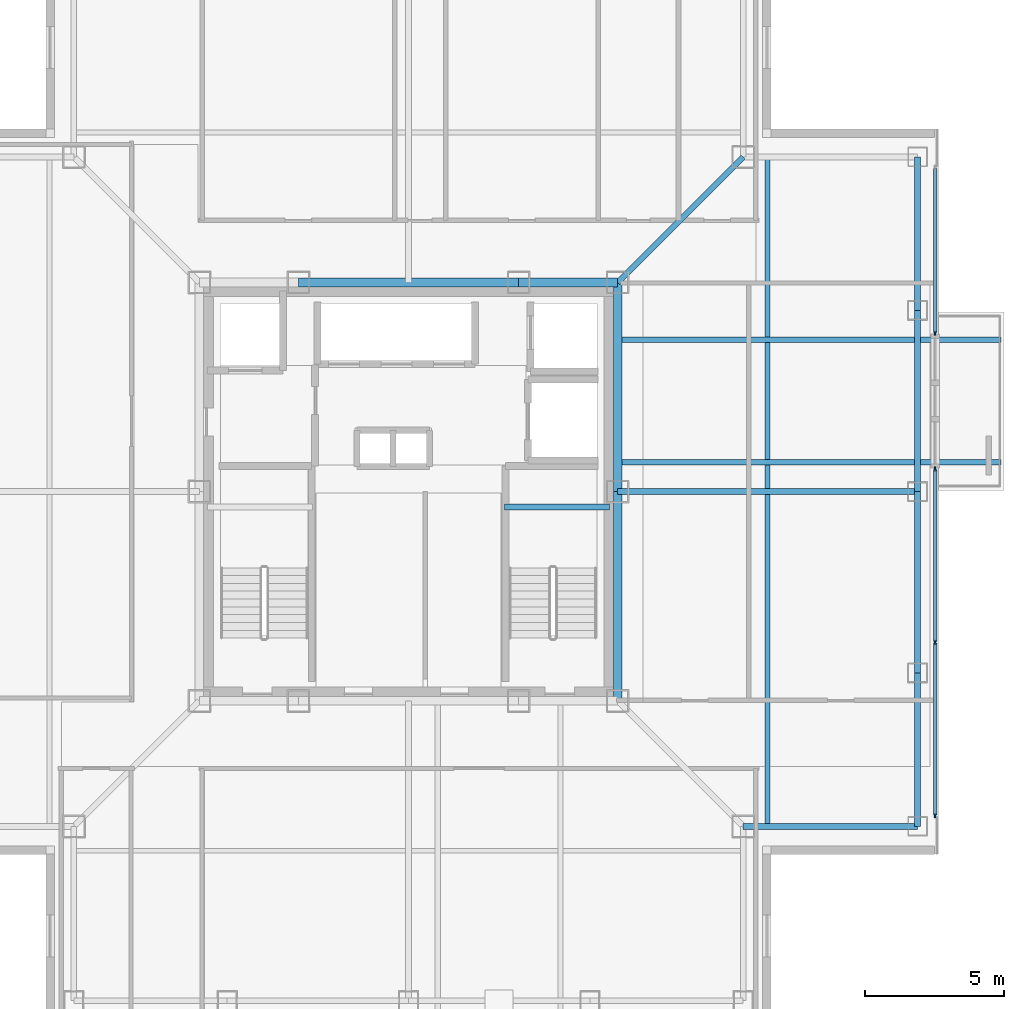
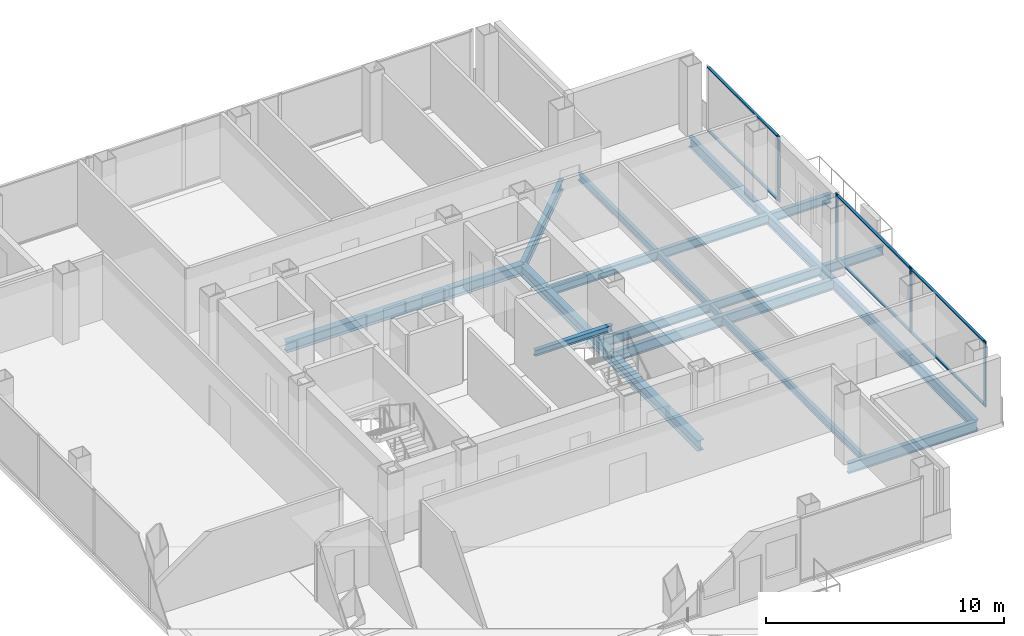
# One storey, part 4 of 15: 15 beams, 10 members, 2 elements without a shape of their own.
"""IFC4 building model written with IfcOpenShell, lengths in metres."""

from ifc_helpers import new_model, si_unit, direction, frame, origin, origin_2d, place, context, subcontext, project, spatial, rectangle, i_section, extrude, material, layer, layer_set, material_profile, profile_set, type_object, element, aggregate, save


model = new_model("IFC4")

# Units and contexts
model_context = context("Model", 3, precision=1e-05, world=origin(), true_north=direction((0.0, 1.0)))
body_context = subcontext(model_context, "Body", "Model", "MODEL_VIEW")
ifc_project = project(units=[si_unit("LENGTHUNIT", "METRE"), si_unit("AREAUNIT", "SQUARE_METRE"), si_unit("VOLUMEUNIT", "CUBIC_METRE"), si_unit("PLANEANGLEUNIT", "RADIAN"), si_unit("MASSUNIT", "GRAM", prefix="KILO")], contexts=[model_context])

# Site, building, storey
site_placement = place(None, origin())
site = spatial("IfcSite", under=ifc_project, at=site_placement, CompositionType="ELEMENT")
building_placement = place(site_placement, origin())
building = spatial("IfcBuilding", under=site, at=building_placement, Name="Trevonay Congress Spire", CompositionType="ELEMENT")
storey_placement = place(building_placement, frame((0.0, 0.0, 243.199951171875)))
storey = spatial("IfcBuildingStorey", under=building, at=storey_placement, Name="L63", CompositionType="ELEMENT", Elevation=243.199951171875)

# Beams
ifc_material_1 = material(Name="Steel ASTM A572 Grade 50", Category="steel")
ifc_material_profile_1 = material_profile(ifc_material_1, i_section(OverallWidth=0.194091796875, OverallDepth=0.468994140625, WebThickness=0.011474609375, FlangeThickness=0.01953125, FilletRadius=0.013916015625, at=origin_2d()), Name="W460x106")
ifc_profile_set_1 = profile_set([ifc_material_profile_1], Name="Steel ASTM A572 Grade 50")
beam_type_1 = type_object("IfcBeamType", Name="BM-BAL-LOOKOUT", PredefinedType="BEAM", material=ifc_profile_set_1)
for number, where, z_axis, x_axis, name in (
    (1, (7.5, 1.050048828125, -0.474365234375), (1.0, 0.0, 0.0), (0.0, 1.0, 0.0), "L63 structural beam LKT-L63-E1"),
    (2, (7.5, 5.449951171875, -0.474365234375), (1.0, 0.0, 0.0), (0.0, 1.0, 0.0), "L63 structural beam LKT-L63-E2"),
):
    element("IfcBeam", number, at=place(storey_placement, frame(where, z_axis=z_axis, x_axis=x_axis)), inside=storey, type_object=beam_type_1, Name=name, PredefinedType="BEAM", context=body_context, shape_type="SweptSolid", body=[
        extrude(i_section(OverallWidth=0.194091796875, OverallDepth=0.468994140625, WebThickness=0.011474609375, FlangeThickness=0.01953125, FilletRadius=0.013916015625, at=origin_2d()), origin(), (0.0, 0.0, 1.0), 13.75),
    ])
ifc_material_profile_2 = material_profile(ifc_material_1, i_section(OverallWidth=0.2119140625, OverallDepth=0.5439453125, WebThickness=0.01318359375, FlangeThickness=0.021240234375, FilletRadius=0.014892578125, at=origin_2d()), Name="W530x123")
ifc_profile_set_2 = profile_set([ifc_material_profile_2], Name="Steel ASTM A572 Grade 50")
beam_type_2 = type_object("IfcBeamType", Name="BM-GIRD-W530X123", PredefinedType="BEAM", material=ifc_profile_set_2)
beam_1_placement = place(storey_placement, frame((7.5, 7.5, -0.511962890625), z_axis=(0.707106781187, 0.707106781187, 0.0), x_axis=(-0.707106781187, 0.707106781187, 0.0)))
element("IfcBeam", 3, at=beam_1_placement, inside=storey, type_object=beam_type_2, Name="L63 structural beam BM-L63-CDNE", PredefinedType="BEAM", context=body_context, shape_type="SweptSolid", body=[
    extrude(i_section(OverallWidth=0.2119140625, OverallDepth=0.5439453125, WebThickness=0.01318359375, FlangeThickness=0.021240234375, FilletRadius=0.014892578125, at=origin_2d()), origin(), (0.0, 0.0, 1.0), 6.364013671875),
])
beam_2_placement = place(storey_placement, frame((7.5, 0.0, -0.511962890625), z_axis=(1.0, 0.0, 0.0), x_axis=(0.0, 1.0, 0.0)))
element("IfcBeam", 4, at=beam_2_placement, inside=storey, type_object=beam_type_2, Name="L63 structural beam BM-L63-GC-E", PredefinedType="BEAM", context=body_context, shape_type="SweptSolid", body=[
    extrude(i_section(OverallWidth=0.2119140625, OverallDepth=0.5439453125, WebThickness=0.01318359375, FlangeThickness=0.021240234375, FilletRadius=0.014892578125, at=origin_2d()), origin(), (0.0, 0.0, 1.0), 10.75),
])
ifc_material_profile_3 = material_profile(ifc_material_1, i_section(OverallWidth=0.31201171875, OverallDepth=0.54296875, WebThickness=0.0126953125, FlangeThickness=0.020263671875, FilletRadius=0.014892578125, at=origin_2d()), Name="W530x150")
ifc_profile_set_3 = profile_set([ifc_material_profile_3], Name="Steel ASTM A572 Grade 50")
beam_type_3 = type_object("IfcBeamType", Name="BM-GIRD-W530X150", PredefinedType="BEAM", material=ifc_profile_set_3)
beam_3_placement = place(storey_placement, frame((-3.949951171875, 7.5, -0.511474609375), z_axis=(1.0, 0.0, 0.0), x_axis=(0.0, 1.0, 0.0)))
element("IfcBeam", 5, at=beam_3_placement, inside=storey, type_object=beam_type_3, Name="L63 structural beam BM-L63-CR-N2", PredefinedType="BEAM", context=body_context, shape_type="SweptSolid", body=[
    extrude(i_section(OverallWidth=0.31201171875, OverallDepth=0.54296875, WebThickness=0.0126953125, FlangeThickness=0.020263671875, FilletRadius=0.014892578125, at=origin_2d()), origin(), (0.0, 0.0, 1.0), 7.89990234375),
])
beam_4_placement = place(storey_placement, frame((3.949951171875, 7.5, -0.511474609375), z_axis=(1.0, 0.0, 0.0), x_axis=(0.0, 1.0, 0.0)))
element("IfcBeam", 6, at=beam_4_placement, inside=storey, type_object=beam_type_3, Name="L63 structural beam BM-L63-CR-N3", PredefinedType="BEAM", context=body_context, shape_type="SweptSolid", body=[
    extrude(i_section(OverallWidth=0.31201171875, OverallDepth=0.54296875, WebThickness=0.0126953125, FlangeThickness=0.020263671875, FilletRadius=0.014892578125, at=origin_2d()), origin(), (0.0, 0.0, 1.0), 3.550048828125),
])
for number, where, z_axis, x_axis, name in (
    (7, (7.5, -7.5, -0.511474609375), (0.0, 1.0, 0.0), (-1.0, 0.0, 0.0), "L63 structural beam BM-L63-CR-E1"),
    (8, (7.5, 0.0, -0.511474609375), (0.0, 1.0, 0.0), (-1.0, 0.0, 0.0), "L63 structural beam BM-L63-CR-E2"),
):
    element("IfcBeam", number, at=place(storey_placement, frame(where, z_axis=z_axis, x_axis=x_axis)), inside=storey, type_object=beam_type_3, Name=name, PredefinedType="BEAM", context=body_context, shape_type="SweptSolid", body=[
        extrude(i_section(OverallWidth=0.31201171875, OverallDepth=0.54296875, WebThickness=0.0126953125, FlangeThickness=0.020263671875, FilletRadius=0.014892578125, at=origin_2d()), origin(), (0.0, 0.0, 1.0), 7.5),
    ])
ifc_material_profile_4 = material_profile(ifc_material_1, i_section(OverallWidth=0.208984375, OverallDepth=0.532958984375, WebThickness=0.01025390625, FlangeThickness=0.015625, FilletRadius=0.014892578125, at=origin_2d()), Name="W530x92")
ifc_profile_set_4 = profile_set([ifc_material_profile_4], Name="Steel ASTM A572 Grade 50")
beam_type_4 = type_object("IfcBeamType", Name="BM-RING-W530X92", PredefinedType="BEAM", material=ifc_profile_set_4)
beam_5_placement = place(storey_placement, frame((18.25, -12.0, -0.50634765625), z_axis=(0.0, 1.0, 0.0), x_axis=(-1.0, 0.0, 0.0)))
element("IfcBeam", 9, at=beam_5_placement, inside=storey, type_object=beam_type_4, Name="L63 structural beam BM-L63-PE1", PredefinedType="BEAM", context=body_context, shape_type="SweptSolid", body=[
    extrude(i_section(OverallWidth=0.208984375, OverallDepth=0.532958984375, WebThickness=0.01025390625, FlangeThickness=0.015625, FilletRadius=0.014892578125, at=origin_2d()), origin(), (0.0, 0.0, 1.0), 5.5),
])
for number, where, z_axis, x_axis, name in (
    (10, (18.25, -6.5, -0.50634765625), (0.0, 1.0, 0.0), (-1.0, 0.0, 0.0), "L63 structural beam BM-L63-PE2"),
    (11, (18.25, 0.0, -0.50634765625), (0.0, 1.0, 0.0), (-1.0, 0.0, 0.0), "L63 structural beam BM-L63-PE3"),
):
    element("IfcBeam", number, at=place(storey_placement, frame(where, z_axis=z_axis, x_axis=x_axis)), inside=storey, type_object=beam_type_4, Name=name, PredefinedType="BEAM", context=body_context, shape_type="SweptSolid", body=[
        extrude(i_section(OverallWidth=0.208984375, OverallDepth=0.532958984375, WebThickness=0.01025390625, FlangeThickness=0.015625, FilletRadius=0.014892578125, at=origin_2d()), origin(), (0.0, 0.0, 1.0), 6.5),
    ])
beam_6_placement = place(storey_placement, frame((18.25, 6.5, -0.50634765625), z_axis=(0.0, 1.0, 0.0), x_axis=(-1.0, 0.0, 0.0)))
element("IfcBeam", 12, at=beam_6_placement, inside=storey, type_object=beam_type_4, Name="L63 structural beam BM-L63-PE4", PredefinedType="BEAM", context=body_context, shape_type="SweptSolid", body=[
    extrude(i_section(OverallWidth=0.208984375, OverallDepth=0.532958984375, WebThickness=0.01025390625, FlangeThickness=0.015625, FilletRadius=0.014892578125, at=origin_2d()), origin(), (0.0, 0.0, 1.0), 5.5),
])
beam_7_placement = place(storey_placement, frame((18.25, -12.0, -0.50634765625), z_axis=(-1.0, 0.0, 0.0), x_axis=(0.0, -1.0, 0.0)))
element("IfcBeam", 13, at=beam_7_placement, inside=storey, type_object=beam_type_4, Name="L63 structural beam BM-L63-N2SE", PredefinedType="BEAM", context=body_context, shape_type="SweptSolid", body=[
    extrude(i_section(OverallWidth=0.208984375, OverallDepth=0.532958984375, WebThickness=0.01025390625, FlangeThickness=0.015625, FilletRadius=0.014892578125, at=origin_2d()), origin(), (0.0, 0.0, 1.0), 6.25),
])

# Curtain wall, members
ifc_material_2 = material(Name="Pale Anodised Aluminium EN AW-6063-T6", Category="aluminium")
ifc_layer = layer(ifc_material_2, 0.1650390625, Name="Pale Anodised Aluminium EN AW-6063-T6")
ifc_layer_set = layer_set([ifc_layer], Name="Pale Anodised Aluminium EN AW-6063-T6")
curtain_wall_type = type_object("IfcCurtainWallType", Name="CW-SYS05-DIPLOM-PALE-METAL", PredefinedType="NOTDEFINED", material=ifc_layer_set)
curtain_wall_1_placement = place(storey_placement, origin())
curtain_wall_1 = element("IfcCurtainWall", 14, at=curtain_wall_1_placement, inside=storey, type_object=curtain_wall_type, Name="L63 EA unitised curtain wall", PredefinedType="NOTDEFINED")
ifc_material_profile_5 = material_profile(ifc_material_2, rectangle(XDim=0.06005859375, YDim=0.159912109375, at=origin_2d()), Name="CW-MULLION-160-ALUMINIUM")
ifc_profile_set_5 = profile_set([ifc_material_profile_5], Name="Pale Anodised Aluminium EN AW-6063-T6")
member_type_1 = type_object("IfcMemberType", Name="CW-MULLION-160-ALUMINIUM", PredefinedType="MULLION", material=ifc_profile_set_5)
member_1_placement = place(storey_placement, frame((18.8798828125, -11.6201171875, 0.0), z_axis=(0.0, 0.0, 1.0), x_axis=(-1.0, 0.0, 0.0)))
member_1 = element("IfcMember", 15, at=member_1_placement, type_object=member_type_1, Name="CW05 mullion 1", PredefinedType="MULLION", context=body_context, shape_type="SweptSolid", body=[
    extrude(rectangle(XDim=0.06005859375, YDim=0.159912109375, at=origin_2d()), origin(), (0.0, 0.0, 1.0), 3.360107421875),
])
member_2_placement = place(storey_placement, frame((18.8798828125, -5.39990234375, 0.0), z_axis=(0.0, 0.0, 1.0), x_axis=(-1.0, 0.0, 0.0)))
member_2 = element("IfcMember", 16, at=member_2_placement, type_object=member_type_1, Name="CW05 mullion 2", PredefinedType="MULLION", context=body_context, shape_type="SweptSolid", body=[
    extrude(rectangle(XDim=0.06005859375, YDim=0.159912109375, at=origin_2d()), origin(), (0.0, 0.0, 1.0), 3.360107421875),
])
member_3_placement = place(storey_placement, frame((18.8798828125, 0.820068359375, 0.0), z_axis=(0.0, 0.0, 1.0), x_axis=(-1.0, 0.0, 0.0)))
member_3 = element("IfcMember", 17, at=member_3_placement, type_object=member_type_1, Name="CW05 mullion 3", PredefinedType="MULLION", context=body_context, shape_type="SweptSolid", body=[
    extrude(rectangle(XDim=0.06005859375, YDim=0.159912109375, at=origin_2d()), origin(), (0.0, 0.0, 1.0), 3.360107421875),
])

# Curtain wall, member
curtain_wall_2_placement = place(storey_placement, origin())
curtain_wall_2 = element("IfcCurtainWall", 18, at=curtain_wall_2_placement, inside=storey, type_object=curtain_wall_type, Name="L63 EB unitised curtain wall", PredefinedType="NOTDEFINED")
member_4_placement = place(storey_placement, frame((18.8798828125, 5.679931640625, 0.0), z_axis=(0.0, 0.0, 1.0), x_axis=(-1.0, 0.0, 0.0)))
member_4 = element("IfcMember", 19, at=member_4_placement, type_object=member_type_1, Name="CW05 mullion 1", PredefinedType="MULLION", context=body_context, shape_type="SweptSolid", body=[
    extrude(rectangle(XDim=0.06005859375, YDim=0.159912109375, at=origin_2d()), origin(), (0.0, 0.0, 1.0), 3.360107421875),
])

# Member
ifc_material_profile_6 = material_profile(ifc_material_2, rectangle(XDim=0.1201171875, YDim=0.06005859375, at=origin_2d()), Name="CW-TRANSOM-120-ALUMINIUM")
ifc_profile_set_6 = profile_set([ifc_material_profile_6], Name="Pale Anodised Aluminium EN AW-6063-T6")
member_type_2 = type_object("IfcMemberType", Name="CW-TRANSOM-120-ALUMINIUM", PredefinedType="USERDEFINED", material=ifc_profile_set_6)
member_5_placement = place(storey_placement, frame((18.8798828125, -11.590087890625, 0.06005859375), z_axis=(0.0, 1.0, 0.0), x_axis=(-1.0, 0.0, 0.0)))
member_5 = element("IfcMember", 20, at=member_5_placement, type_object=member_type_2, Name="CW05 transom 1.1", ObjectType="TRANSOM", PredefinedType="USERDEFINED", context=body_context, shape_type="SweptSolid", body=[
    extrude(rectangle(XDim=0.1201171875, YDim=0.06005859375, at=origin_2d()), origin(), (0.0, 0.0, 1.0), 6.16015625),
])

member_6_placement = place(storey_placement, frame((18.8798828125, -11.590087890625, 3.300048828125), z_axis=(0.0, 1.0, 0.0), x_axis=(-1.0, 0.0, 0.0)))
member_6 = element("IfcMember", 21, at=member_6_placement, type_object=member_type_2, Name="CW05 transom 1.2", ObjectType="TRANSOM", PredefinedType="USERDEFINED", context=body_context, shape_type="SweptSolid", body=[
    extrude(rectangle(XDim=0.1201171875, YDim=0.06005859375, at=origin_2d()), origin(), (0.0, 0.0, 1.0), 6.16015625),
])

member_7_placement = place(storey_placement, frame((18.8798828125, -5.3701171875, 0.06005859375), z_axis=(0.0, 1.0, 0.0), x_axis=(-1.0, 0.0, 0.0)))
member_7 = element("IfcMember", 22, at=member_7_placement, type_object=member_type_2, Name="CW05 transom 2.1", ObjectType="TRANSOM", PredefinedType="USERDEFINED", context=body_context, shape_type="SweptSolid", body=[
    extrude(rectangle(XDim=0.1201171875, YDim=0.06005859375, at=origin_2d()), origin(), (0.0, 0.0, 1.0), 6.16015625),
])

member_8_placement = place(storey_placement, frame((18.8798828125, -5.3701171875, 3.300048828125), z_axis=(0.0, 1.0, 0.0), x_axis=(-1.0, 0.0, 0.0)))
member_8 = element("IfcMember", 23, at=member_8_placement, type_object=member_type_2, Name="CW05 transom 2.2", ObjectType="TRANSOM", PredefinedType="USERDEFINED", context=body_context, shape_type="SweptSolid", body=[
    extrude(rectangle(XDim=0.1201171875, YDim=0.06005859375, at=origin_2d()), origin(), (0.0, 0.0, 1.0), 6.16015625),
])

aggregate(curtain_wall_1, [member_1, member_2, member_3, member_5, member_6, member_7, member_8])

member_9_placement = place(storey_placement, frame((18.8798828125, 5.7099609375, 0.06005859375), z_axis=(0.0, 1.0, 0.0), x_axis=(-1.0, 0.0, 0.0)))
member_9 = element("IfcMember", 24, at=member_9_placement, type_object=member_type_2, Name="CW05 transom 1.1", ObjectType="TRANSOM", PredefinedType="USERDEFINED", context=body_context, shape_type="SweptSolid", body=[
    extrude(rectangle(XDim=0.1201171875, YDim=0.06005859375, at=origin_2d()), origin(), (0.0, 0.0, 1.0), 5.880126953125),
])

member_10_placement = place(storey_placement, frame((18.8798828125, 5.7099609375, 3.300048828125), z_axis=(0.0, 1.0, 0.0), x_axis=(-1.0, 0.0, 0.0)))
member_10 = element("IfcMember", 25, at=member_10_placement, type_object=member_type_2, Name="CW05 transom 1.2", ObjectType="TRANSOM", PredefinedType="USERDEFINED", context=body_context, shape_type="SweptSolid", body=[
    extrude(rectangle(XDim=0.1201171875, YDim=0.06005859375, at=origin_2d()), origin(), (0.0, 0.0, 1.0), 5.880126953125),
])

aggregate(curtain_wall_2, [member_4, member_9, member_10])

# Beams
ifc_material_profile_7 = material_profile(ifc_material_1, i_section(OverallWidth=0.172119140625, OverallDepth=0.35791015625, WebThickness=0.0078125, FlangeThickness=0.01318359375, FilletRadius=0.011962890625, at=origin_2d()), Name="W360x57.8")
ifc_profile_set_7 = profile_set([ifc_material_profile_7], Name="Steel ASTM A572 Grade 50")
beam_type_5 = type_object("IfcBeamType", Name="JS-COMP-W360X57", PredefinedType="JOIST", material=ifc_profile_set_7)
beam_8_placement = place(storey_placement, frame((12.875, -12.0, -0.4189453125), z_axis=(0.0, 1.0, 0.0), x_axis=(-1.0, 0.0, 0.0)))
element("IfcBeam", 26, at=beam_8_placement, inside=storey, type_object=beam_type_5, Name="L63 structural beam JS-L63-RING-E", PredefinedType="JOIST", context=body_context, shape_type="SweptSolid", body=[
    extrude(i_section(OverallWidth=0.172119140625, OverallDepth=0.35791015625, WebThickness=0.0078125, FlangeThickness=0.01318359375, FilletRadius=0.011962890625, at=origin_2d()), origin(), (0.0, 0.0, 1.0), 24.0),
])
ifc_material_profile_8 = material_profile(ifc_material_1, i_section(OverallWidth=0.2041015625, OverallDepth=0.305908203125, WebThickness=0.008544921875, FlangeThickness=0.0146484375, FilletRadius=0.010986328125, at=origin_2d()), Name="W310x67")
ifc_profile_set_8 = profile_set([ifc_material_profile_8], Name="Steel ASTM A572 Grade 50")
beam_type_6 = type_object("IfcBeamType", Name="LN-CORE-W310X67", PredefinedType="LINTEL", material=ifc_profile_set_8)
beam_9_placement = place(storey_placement, frame((3.449951171875, -0.550048828125, 1.447021484375), z_axis=(1.0, 0.0, 0.0), x_axis=(0.0, 1.0, 0.0)))
element("IfcBeam", 27, at=beam_9_placement, inside=storey, type_object=beam_type_6, Name="L63 structural beam BM-L63-HL-ST2", PredefinedType="LINTEL", context=body_context, shape_type="SweptSolid", body=[
    extrude(i_section(OverallWidth=0.2041015625, OverallDepth=0.305908203125, WebThickness=0.008544921875, FlangeThickness=0.0146484375, FilletRadius=0.010986328125, at=origin_2d()), origin(), (0.0, 0.0, 1.0), 3.75),
])

save(model, "model.ifc")
